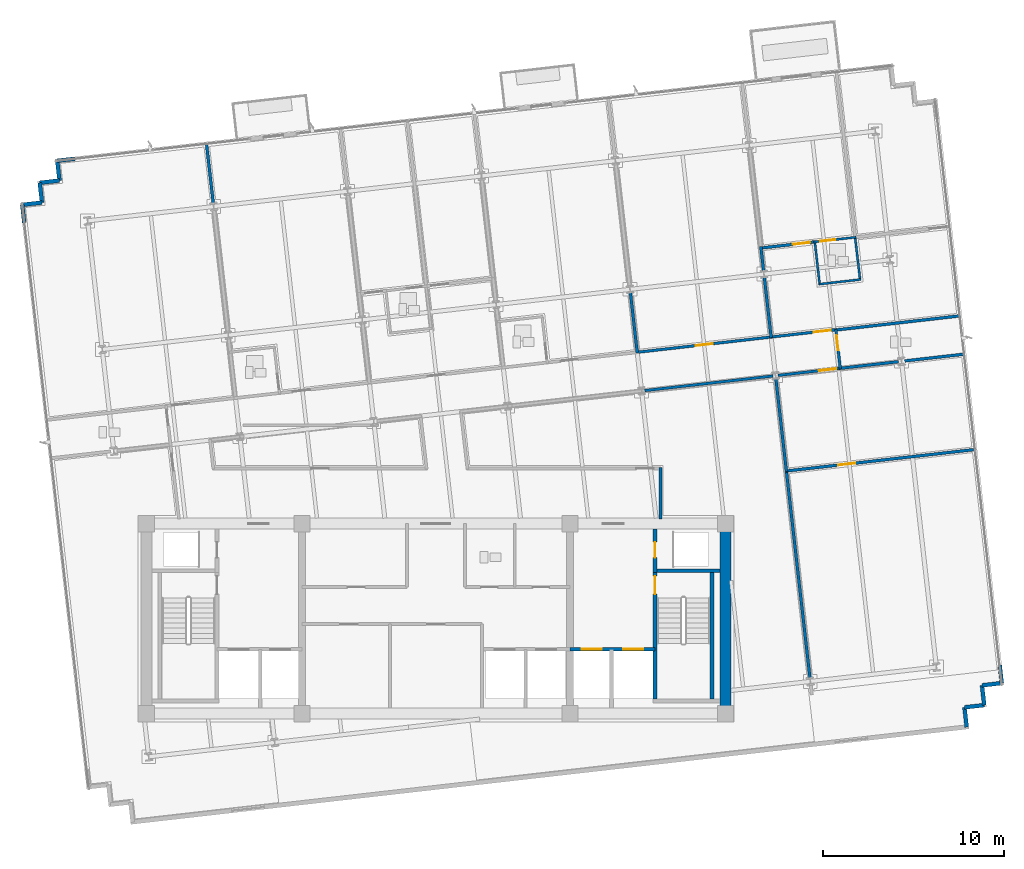
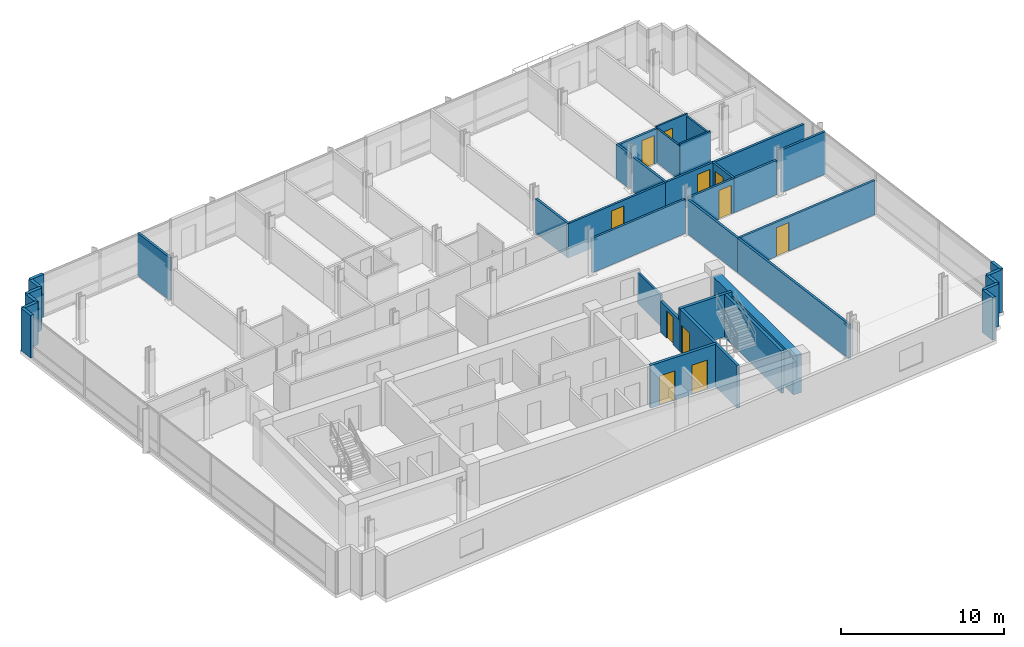
# One storey, part 11 of 16: 38 walls, 11 doors, 11 openings.
"""IFC4 building model written with IfcOpenShell, lengths in metres."""

import ifcopenshell
import ifcopenshell.guid

model = None  # the IFC model being written
_history = None  # IfcOwnerHistory: only IFC2X3 demands one
_inside = {}  # id of a spatial element -> (the spatial element, [elements in it])
_under = {}  # id of a project, library or spatial element -> (it, [spatial elements below it])
_declared = {}  # id of a project -> (the project, [libraries it declares])
_typed = {}  # id of a type object -> (the type object, [elements of that type])
_made_of = {}  # id of a material, layer set ... -> (it, [elements and type objects made of it])


def new_model(schema):
    """Start an empty IFC model of exactly this schema.

    Asked for "IFC4X3", IfcOpenShell would pick the latest addendum, in which some entities
    have other attributes; the version numbers below select the first issue.
    IFC2X3 requires an IfcOwnerHistory on every rooted entity: one is made here for all.
    """
    global model, _history
    if schema == "IFC4X3":
        model = ifcopenshell.file(schema_version=(4, 3, 0, 0))
    else:
        model = ifcopenshell.file(schema=schema)
    _inside.clear()
    _under.clear()
    _declared.clear()
    _typed.clear()
    _made_of.clear()
    _history = None
    if model.schema == "IFC2X3":
        org = make("IfcOrganization", Name="unknown")
        user = make(
            "IfcPersonAndOrganization",
            ThePerson=make("IfcPerson", FamilyName="unknown"),
            TheOrganization=org,
        )
        app = make(
            "IfcApplication",
            ApplicationDeveloper=org,
            Version="unknown",
            ApplicationFullName="unknown",
            ApplicationIdentifier="unknown",
        )
        _history = make(
            "IfcOwnerHistory",
            OwningUser=user,
            OwningApplication=app,
            ChangeAction="ADDED",
            CreationDate=0,
        )
    return model


def make(cls, **values):
    """One entity of the class cls with the attributes given. An attribute that is None is left unset."""
    return model.create_entity(
        cls, **{name: value for name, value in values.items() if value is not None}
    )


def rooted(cls, **values):
    """An entity with a GlobalId (a new one), such as an element, a storey or a relation."""
    return make(cls, GlobalId=ifcopenshell.guid.new(), OwnerHistory=_history, **values)


def si_unit(unit_type, name, prefix=None):
    """IfcSIUnit, for example si_unit("LENGTHUNIT", "METRE", prefix="MILLI")."""
    return make("IfcSIUnit", UnitType=unit_type, Prefix=prefix, Name=name)


def assignment(units):
    """IfcUnitAssignment: the units of a project."""
    return None if units is None else make("IfcUnitAssignment", Units=units)


def point(xyz):
    """IfcCartesianPoint."""
    return None if xyz is None else make("IfcCartesianPoint", Coordinates=xyz)


def direction(xyz):
    """IfcDirection."""
    return None if xyz is None else make("IfcDirection", DirectionRatios=xyz)


def frame(location, z_axis=None, x_axis=None):
    """IfcAxis2Placement3D, a coordinate frame: its origin and axes. An axis left out is left unset."""
    return make(
        "IfcAxis2Placement3D",
        Location=point(location),
        Axis=direction(z_axis),
        RefDirection=direction(x_axis),
    )


def frame_2d(location, x_axis=None):
    """IfcAxis2Placement2D, a coordinate frame in the plane: its origin and x axis."""
    return make(
        "IfcAxis2Placement2D", Location=point(location), RefDirection=direction(x_axis)
    )


def origin():
    """The frame at (0, 0, 0) with its axes left unset."""
    return frame((0.0, 0.0, 0.0))


def place(relative_to, where):
    """IfcLocalPlacement: puts the frame where relative to a parent placement (None: the world)."""
    return make(
        "IfcLocalPlacement", PlacementRelTo=relative_to, RelativePlacement=where
    )


def context(
    kind, dimensions, precision=None, world=None, true_north=None, identifier=None
):
    """IfcGeometricRepresentationContext, for example the 3D "Model" context."""
    return make(
        "IfcGeometricRepresentationContext",
        ContextIdentifier=identifier,
        ContextType=kind,
        CoordinateSpaceDimension=dimensions,
        Precision=precision,
        WorldCoordinateSystem=world,
        TrueNorth=true_north,
    )


def subcontext(parent, identifier, kind, view, scale=None):
    """IfcGeometricRepresentationSubContext, for example "Body" below "Model"."""
    return make(
        "IfcGeometricRepresentationSubContext",
        ContextIdentifier=identifier,
        ContextType=kind,
        ParentContext=parent,
        TargetScale=scale,
        TargetView=view,
    )


def project(units=None, contexts=None):
    """IfcProject with its units and contexts."""
    return rooted(
        "IfcProject",
        Name="project",
        RepresentationContexts=contexts,
        UnitsInContext=assignment(units),
    )


def spatial(cls, under=None, at=None, **own):
    """A site, building, storey or space (cls), placed at a placement, below another one or the project."""
    s = rooted(cls, ObjectPlacement=at, **own)
    if under is not None:
        _under.setdefault(under.id(), (under, []))[1].append(s)
    return s


def profile(cls, at=None, kind="AREA", **sizes):
    """A parametric profile (cls). Its sizes go by their IFC names, for example OverallWidth=200.0."""
    return make(cls, ProfileType=kind, Position=at, **sizes)


def rectangle(**sizes):
    """IfcRectangleProfileDef."""
    return profile("IfcRectangleProfileDef", **sizes)


def extrude(swept, where, along, depth):
    """IfcExtrudedAreaSolid: the profile swept, set in the frame where, extruded along a direction by depth."""
    return make(
        "IfcExtrudedAreaSolid",
        SweptArea=swept,
        Position=where,
        ExtrudedDirection=direction(along),
        Depth=depth,
    )


def shape(context_of_items, identifier, shape_type, items):
    """IfcShapeRepresentation: the items that make up one representation, for example the "Body"."""
    return make(
        "IfcShapeRepresentation",
        ContextOfItems=context_of_items,
        RepresentationIdentifier=identifier,
        RepresentationType=shape_type,
        Items=items,
    )


def material(Name=None, Category=None):
    """IfcMaterial."""
    return make("IfcMaterial", Name=Name, Category=Category)


def layer(
    of_material, thickness, ventilated=None, Name=None, Category=None, Priority=None
):
    """IfcMaterialLayer: one layer of a wall or slab, of a material (None: an air gap)."""
    return make(
        "IfcMaterialLayer",
        Material=of_material,
        LayerThickness=thickness,
        IsVentilated=ventilated,
        Name=Name,
        Category=Category,
        Priority=Priority,
    )


def layer_set(layers, Name=None):
    """IfcMaterialLayerSet."""
    return make("IfcMaterialLayerSet", MaterialLayers=layers, LayerSetName=Name)


def made_of(thing, what):
    """Note that an element or type object is made of a material, layer set ...; save() writes the relation."""
    if what is not None:
        _made_of.setdefault(what.id(), (what, []))[1].append(thing)
    return thing


def type_object(cls, material=None, **own):
    """A type object (cls), such as IfcWallType, which elements share."""
    return made_of(rooted(cls, **own), material)


def element(
    cls,
    number,
    at=None,
    inside=None,
    cuts=None,
    type_object=None,
    material=None,
    context=None,
    identifier="Body",
    shape_type=None,
    held_by="IfcProductDefinitionShape",
    body=None,
    shapes=None,
    **own,
):
    """One element of the class cls, such as IfcWall. Its Tag is "e" and its number.

    at: its placement. inside: the storey or other place that contains it. cuts: it is an
    opening in that element (IfcRelVoidsElement). A single representation is given by context,
    identifier, shape_type and body (its items); several are given by shapes. held_by: the class
    of the entity that holds the representations. save() writes the other relations.
    """
    e = rooted(cls, Tag="e%d" % number, ObjectPlacement=at, **own)
    if body is not None:
        shapes = [shape(context, identifier, shape_type, body)]
    if shapes is not None:
        e.Representation = make(held_by, Representations=shapes)
    if inside is not None:
        _inside.setdefault(inside.id(), (inside, []))[1].append(e)
    if cuts is not None:
        rooted(
            "IfcRelVoidsElement", RelatingBuildingElement=cuts, RelatedOpeningElement=e
        )
    if type_object is not None:
        _typed.setdefault(type_object.id(), (type_object, []))[1].append(e)
    return made_of(e, material)


def fill(opening, filler):
    """IfcRelFillsElement: the door or window that sits in an opening."""
    return rooted(
        "IfcRelFillsElement",
        RelatingOpeningElement=opening,
        RelatedBuildingElement=filler,
    )


def aggregate(whole, parts):
    """IfcRelAggregates: a whole, such as a stair, and the parts it consists of."""
    return rooted("IfcRelAggregates", RelatingObject=whole, RelatedObjects=parts)


def save(model, path):
    """Write the relations noted so far, then the file.

    IfcRelAggregates (storeys below a building ...), IfcRelContainedInSpatialStructure (elements
    in a storey), IfcRelDefinesByType, IfcRelAssociatesMaterial and IfcRelDeclares: one each for
    every whole, place, type object, material and project.
    """
    for whole, parts in _under.values():
        aggregate(whole, parts)
    for where, things in _inside.values():
        rooted(
            "IfcRelContainedInSpatialStructure",
            RelatedElements=things,
            RelatingStructure=where,
        )
    for kind, things in _typed.values():
        rooted("IfcRelDefinesByType", RelatedObjects=things, RelatingType=kind)
    for what, things in _made_of.values():
        rooted("IfcRelAssociatesMaterial", RelatedObjects=things, RelatingMaterial=what)
    for by, libraries in _declared.values():
        rooted("IfcRelDeclares", RelatingContext=by, RelatedDefinitions=libraries)
    model.write(path)


model = new_model("IFC4")

# Units and contexts
model_context = context("Model", 3, precision=1e-05, world=origin(), true_north=direction((0.0, 1.0)))
body_context = subcontext(model_context, "Body", "Model", "MODEL_VIEW")
ifc_project = project(units=[si_unit("LENGTHUNIT", "METRE"), si_unit("AREAUNIT", "SQUARE_METRE"), si_unit("VOLUMEUNIT", "CUBIC_METRE"), si_unit("PLANEANGLEUNIT", "RADIAN"), si_unit("MASSUNIT", "GRAM", prefix="KILO")], contexts=[model_context])

# Site, building, storey
site_placement = place(None, origin())
site = spatial("IfcSite", under=ifc_project, at=site_placement, CompositionType="ELEMENT")
building_placement = place(site_placement, origin())
building = spatial("IfcBuilding", under=site, at=building_placement, Name="Solmavex Isthmus Hotel", CompositionType="ELEMENT")
storey_placement = place(building_placement, frame((0.0, 0.0, 215.85009765625)))
storey = spatial("IfcBuildingStorey", under=building, at=storey_placement, Name="L58", CompositionType="ELEMENT", Elevation=215.85009765625)

# Walls
ifc_material_1 = material(Name="Precast Concrete C40/50", Category="concrete")
ifc_layer_1 = layer(ifc_material_1, 0.25)
ifc_layer_set_1 = layer_set([ifc_layer_1], Name="Precast Concrete C40/50")
wall_type_1 = type_object("IfcWallType", Name="EW-TWR-250", PredefinedType="STANDARD", material=ifc_layer_set_1)
wall_1_placement = place(storey_placement, frame((-22.74755859375, 14.128173828125, 0.0), z_axis=(0.0, 0.0, 1.0), x_axis=(-0.113191877531, 0.993573147212, 0.0)))
element("IfcWall", 1, at=wall_1_placement, inside=storey, type_object=wall_type_1, Name="Serrated Corner Facade Panel L58-07", PredefinedType="STANDARD", context=body_context, shape_type="SweptSolid", body=[
    extrude(rectangle(XDim=0.989990234375, YDim=0.219970703125, at=frame_2d((0.4951171875, 0.0))), origin(), (0.0, 0.0, 1.0), 3.18994140625),
])
wall_2_placement = place(storey_placement, frame((-22.859619140625, 15.11181640625, 0.0), z_axis=(0.0, 0.0, 1.0), x_axis=(0.99357409499, 0.113183557839, 0.0)))
element("IfcWall", 2, at=wall_2_placement, inside=storey, type_object=wall_type_1, Name="Serrated Corner Facade Panel L58-08", PredefinedType="STANDARD", context=body_context, shape_type="SweptSolid", body=[
    extrude(rectangle(XDim=1.10009765625, YDim=0.219970703125, at=frame_2d((0.550048828125, 0.0))), origin(), (0.0, 0.0, 1.0), 3.18994140625),
])
wall_3_placement = place(storey_placement, frame((-21.7666015625, 15.236328125, 0.0), z_axis=(0.0, 0.0, 1.0), x_axis=(-0.11320852056, 0.99357125103, 0.0)))
element("IfcWall", 3, at=wall_3_placement, inside=storey, type_object=wall_type_1, Name="Serrated Corner Facade Panel L58-09", PredefinedType="STANDARD", context=body_context, shape_type="SweptSolid", body=[
    extrude(rectangle(XDim=1.099853515625, YDim=0.219970703125, at=frame_2d((0.5498046875, 0.0))), origin(), (0.0, 0.0, 1.0), 3.18994140625),
])
for number, where, z_axis, x_axis, name in (
    (4, (-21.89111328125, 16.3291015625, 0.0), (0.0, 0.0, 1.0), (0.99357409499, 0.113183557839, 0.0), "Serrated Corner Facade Panel L58-10"),
    (5, (-20.798095703125, 16.45361328125, 0.0), (0.0, 0.0, 1.0), (-0.113402635104, 0.993549114212, 0.0), "Serrated Corner Facade Panel L58-11"),
):
    element("IfcWall", number, at=place(storey_placement, frame(where, z_axis=z_axis, x_axis=x_axis)), inside=storey, type_object=wall_type_1, Name=name, PredefinedType="STANDARD", context=body_context, shape_type="SweptSolid", body=[
        extrude(rectangle(XDim=1.10009765625, YDim=0.219970703125, at=frame_2d((0.550048828125, 0.0))), origin(), (0.0, 0.0, 1.0), 3.18994140625),
    ])
for number, where, z_axis, x_axis, name in (
    (6, (-20.9228515625, 17.546630859375, 0.0), (0.0, 0.0, 1.0), (0.993573147212, 0.113191877531, 0.0), "Serrated Corner Facade Panel L58-12"),
    (7, (31.1474609375, -10.328125, 0.0), (0.0, 0.0, 1.0), (0.113191877531, -0.993573147212, 0.0), "Serrated Corner Facade Panel L58-21"),
):
    element("IfcWall", number, at=place(storey_placement, frame(where, z_axis=z_axis, x_axis=x_axis)), inside=storey, type_object=wall_type_1, Name=name, PredefinedType="STANDARD", context=body_context, shape_type="SweptSolid", body=[
        extrude(rectangle(XDim=0.989990234375, YDim=0.219970703125, at=frame_2d((0.4951171875, 0.0))), origin(), (0.0, 0.0, 1.0), 3.18994140625),
    ])
wall_4_placement = place(storey_placement, frame((31.259521484375, -11.311767578125, 0.0), z_axis=(0.0, 0.0, 1.0), x_axis=(-0.99357409499, -0.113183557839, 0.0)))
element("IfcWall", 8, at=wall_4_placement, inside=storey, type_object=wall_type_1, Name="Serrated Corner Facade Panel L58-22", PredefinedType="STANDARD", context=body_context, shape_type="SweptSolid", body=[
    extrude(rectangle(XDim=1.10009765625, YDim=0.219970703125, at=frame_2d((0.550048828125, 0.0))), origin(), (0.0, 0.0, 1.0), 3.18994140625),
])
wall_5_placement = place(storey_placement, frame((30.16650390625, -11.436279296875, 0.0), z_axis=(0.0, 0.0, 1.0), x_axis=(0.113427644885, -0.993546259303, 0.0)))
element("IfcWall", 9, at=wall_5_placement, inside=storey, type_object=wall_type_1, Name="Serrated Corner Facade Panel L58-23", PredefinedType="STANDARD", context=body_context, shape_type="SweptSolid", body=[
    extrude(rectangle(XDim=1.099853515625, YDim=0.219970703125, at=frame_2d((0.5498046875, 0.0))), origin(), (0.0, 0.0, 1.0), 3.18994140625),
])
for number, where, z_axis, x_axis, name in (
    (10, (30.291259765625, -12.529052734375, 0.0), (0.0, 0.0, 1.0), (-0.99357409499, -0.113183557839, 0.0), "Serrated Corner Facade Panel L58-24"),
    (11, (29.1982421875, -12.653564453125, 0.0), (0.0, 0.0, 1.0), (0.113183557839, -0.99357409499, 0.0), "Serrated Corner Facade Panel L58-25"),
):
    element("IfcWall", number, at=place(storey_placement, frame(where, z_axis=z_axis, x_axis=x_axis)), inside=storey, type_object=wall_type_1, Name=name, PredefinedType="STANDARD", context=body_context, shape_type="SweptSolid", body=[
        extrude(rectangle(XDim=1.10009765625, YDim=0.219970703125, at=frame_2d((0.550048828125, 0.0))), origin(), (0.0, 0.0, 1.0), 3.18994140625),
    ])
ifc_material_2 = material(Name="Gypsum plasterboard lining", Category="gypsum")
ifc_layer_2 = layer(ifc_material_2, 0.159912109375)
ifc_layer_set_2 = layer_set([ifc_layer_2], Name="Gypsum plasterboard lining")
wall_type_2 = type_object("IfcWallType", Name="IW-COMP-160", PredefinedType="PARTITIONING", material=ifc_layer_set_2)
wall_6_placement = place(storey_placement, frame((-12.681396484375, 18.515869140625, 0.0), z_axis=(0.0, 0.0, 1.0), x_axis=(0.113171804991, -0.993575433752, 0.0)))
element("IfcWall", 12, at=wall_6_placement, inside=storey, type_object=wall_type_2, Name="Interior Partition Wall W-L58-P025", PredefinedType="PARTITIONING", context=body_context, shape_type="SweptSolid", body=[
    extrude(rectangle(XDim=3.34375, YDim=0.159912109375, at=frame_2d((1.671875, 0.0))), origin(), (0.0, 0.0, 1.0), 3.18994140625),
])
wall_7_placement = place(storey_placement, frame((10.740966796875, 10.265869140625, 0.0), z_axis=(0.0, 0.0, 1.0), x_axis=(0.113220917918, -0.993569838384, 0.0)))
element("IfcWall", 13, at=wall_7_placement, inside=storey, type_object=wall_type_2, Name="Interior Partition Wall W-L58-P050", PredefinedType="PARTITIONING", context=body_context, shape_type="SweptSolid", body=[
    extrude(rectangle(XDim=3.36181640625, YDim=0.159912109375, at=frame_2d((1.680908203125, 0.0))), origin(), (0.0, 0.0, 1.0), 2.572265625),
])
wall_8_placement = place(storey_placement, frame((17.94580078125, 12.80615234375, 0.0), z_axis=(0.0, 0.0, 1.0), x_axis=(0.113099607597, -0.993583654637, 0.0)))
element("IfcWall", 14, at=wall_8_placement, inside=storey, type_object=wall_type_2, Name="Interior Partition Wall W-L58-P051", PredefinedType="PARTITIONING", context=body_context, shape_type="SweptSolid", body=[
    extrude(rectangle(XDim=1.355712890625, YDim=0.159912109375, at=frame_2d((0.677734375, 0.0))), origin(), (0.0, 0.0, 1.0), 2.572265625),
])
wall_9_placement = place(storey_placement, frame((18.13916015625, 11.108642578125, 0.0), z_axis=(0.0, 0.0, 1.0), x_axis=(0.113229088195, -0.993568907317, 0.0)))
element("IfcWall", 15, at=wall_9_placement, inside=storey, type_object=wall_type_2, Name="Interior Partition Wall W-L58-P052", PredefinedType="PARTITIONING", context=body_context, shape_type="SweptSolid", body=[
    extrude(rectangle(XDim=3.361572265625, YDim=0.159912109375, at=frame_2d((1.6806640625, 0.0))), origin(), (0.0, 0.0, 1.0), 2.572265625),
])

# Wall, opening, door
wall_10_placement = place(storey_placement, frame((17.915283203125, 12.72021484375, 0.0), z_axis=(0.0, 0.0, 1.0), x_axis=(0.993574843088, 0.11317699052, 0.0)))
wall_10 = element("IfcWall", 16, at=wall_10_placement, inside=storey, type_object=wall_type_2, Name="Interior Partition Wall W-L58-P055", PredefinedType="PARTITIONING", context=body_context, shape_type="SweptSolid", body=[
    extrude(rectangle(XDim=3.073974609375, YDim=0.159912109375, at=frame_2d((1.537109375, 0.0))), origin(), (0.0, 0.0, 1.0), 2.572265625),
])
opening_1_placement = place(wall_10_placement, frame((1.81640625, 0.0, 0.0)))
opening_1 = element("IfcOpeningElement", 17, at=opening_1_placement, cuts=wall_10, Name="Opening ID-C095", PredefinedType="OPENING", context=body_context, shape_type="SweptSolid", body=[
    extrude(rectangle(XDim=0.949951171875, YDim=2.14990234375, at=frame_2d((0.47509765625, 1.074951171875))), frame((0.0, 0.08984375, 0.0), z_axis=(0.0, -1.0, 0.0), x_axis=(1.0, 0.0, 0.0)), (0.0, 0.0, 1.0), 0.179931640625),
])
ifc_material_3 = material(Name="Hardwood timber", Category="wood")
door_type_1 = type_object("IfcDoorType", Name="IDR-FD60-0950", OperationType="NOTDEFINED", PredefinedType="DOOR", material=ifc_material_3)
door_1_placement = place(opening_1_placement, origin())
door_1 = element("IfcDoor", 18, at=door_1_placement, inside=storey, type_object=door_type_1, Name="Ambassador Panorama Suite Master Bedroom Door L58-12", OperationType="SINGLE_SWING_RIGHT", OverallHeight=2.14990234375, OverallWidth=0.949951171875, PredefinedType="DOOR", context=body_context, shape_type="SweptSolid", body=[
    extrude(rectangle(XDim=0.949951171875, YDim=2.14990234375, at=frame_2d((0.47509765625, 1.074951171875))), frame((0.0, 0.02490234375, 0.0), z_axis=(0.0, -1.0, 0.0), x_axis=(1.0, 0.0, 0.0)), (0.0, 0.0, 1.0), 0.050048828125),
])
fill(opening_1, door_1)

# Walls
wall_11_placement = place(storey_placement, frame((28.977783203125, 8.98046875, 0.0), z_axis=(0.0, 0.0, 1.0), x_axis=(-0.993571800428, -0.113203698681, 0.0)))
element("IfcWall", 19, at=wall_11_placement, inside=storey, type_object=wall_type_2, Name="Interior Partition Wall W-L58-P060", PredefinedType="PARTITIONING", context=body_context, shape_type="SweptSolid", body=[
    extrude(rectangle(XDim=6.968017578125, YDim=0.159912109375, at=frame_2d((3.48388671875, 0.0))), origin(), (0.0, 0.0, 1.0), 2.557373046875),
])
wall_12_placement = place(storey_placement, frame((25.546142578125, 6.44580078125, 0.0), z_axis=(0.0, 0.0, 1.0), x_axis=(-0.993568592225, -0.113231853041, 0.0)))
element("IfcWall", 20, at=wall_12_placement, inside=storey, type_object=wall_type_2, Name="Interior Partition Wall W-L58-P065", PredefinedType="PARTITIONING", context=body_context, shape_type="SweptSolid", body=[
    extrude(rectangle(XDim=3.281494140625, YDim=0.159912109375, at=frame_2d((1.640625, 0.0))), origin(), (0.0, 0.0, 1.0), 2.572265625),
])
wall_13_placement = place(storey_placement, frame((29.21875, 6.864013671875, 0.0), z_axis=(0.0, 0.0, 1.0), x_axis=(-0.993574498496, -0.113180015629, 0.0)))
element("IfcWall", 21, at=wall_13_placement, inside=storey, type_object=wall_type_2, Name="Interior Partition Wall W-L58-P066", PredefinedType="PARTITIONING", context=body_context, shape_type="SweptSolid", body=[
    extrude(rectangle(XDim=3.343505859375, YDim=0.159912109375, at=frame_2d((1.671875, 0.0))), origin(), (0.0, 0.0, 1.0), 3.18994140625),
])

# Wall, opening, door
wall_14_placement = place(storey_placement, frame((29.69970703125, 1.584716796875, 0.0), z_axis=(0.0, 0.0, 1.0), x_axis=(-0.993570652061, -0.113213777263, 0.0)))
wall_14 = element("IfcWall", 22, at=wall_14_placement, inside=storey, type_object=wall_type_2, Name="Interior Partition Wall W-L58-P067", PredefinedType="PARTITIONING", context=body_context, shape_type="SweptSolid", body=[
    extrude(rectangle(XDim=10.447998046875, YDim=0.159912109375, at=frame_2d((5.22412109375, 0.0))), origin(), (0.0, 0.0, 1.0), 2.557373046875),
])
opening_2_placement = place(wall_14_placement, frame((6.571044921875, 0.0, 0.0)))
opening_2 = element("IfcOpeningElement", 23, at=opening_2_placement, cuts=wall_14, Name="Opening ID-C095", PredefinedType="OPENING", context=body_context, shape_type="SweptSolid", body=[
    extrude(rectangle(XDim=0.949951171875, YDim=2.14990234375, at=frame_2d((0.47509765625, 1.074951171875))), frame((0.0, 0.08984375, 0.0), z_axis=(0.0, -1.0, 0.0), x_axis=(1.0, 0.0, 0.0)), (0.0, 0.0, 1.0), 0.179931640625),
])
door_2_placement = place(opening_2_placement, origin())
door_2 = element("IfcDoor", 24, at=door_2_placement, inside=storey, type_object=door_type_1, Name="Corporate Briefing Office Door L58-20", OperationType="SINGLE_SWING_RIGHT", OverallHeight=2.14990234375, OverallWidth=0.949951171875, PredefinedType="DOOR", context=body_context, shape_type="SweptSolid", body=[
    extrude(rectangle(XDim=0.949951171875, YDim=2.14990234375, at=frame_2d((0.47509765625, 1.074951171875))), frame((0.0, 0.02490234375, 0.0), z_axis=(0.0, -1.0, 0.0), x_axis=(1.0, 0.0, 0.0)), (0.0, 0.0, 1.0), 0.050048828125),
])
fill(opening_2, door_2)

# Walls
wall_15_placement = place(storey_placement, frame((19.363037109375, 0.36669921875, 0.0), z_axis=(0.0, 0.0, 1.0), x_axis=(-0.113191877531, 0.993573147212, 0.0)))
element("IfcWall", 25, at=wall_15_placement, inside=storey, type_object=wall_type_2, Name="Interior Partition Wall W-L58-P068", PredefinedType="PARTITIONING", context=body_context, shape_type="SweptSolid", body=[
    extrude(rectangle(XDim=5.16357421875, YDim=0.159912109375, at=frame_2d((2.581787109375, 0.0))), origin(), (0.0, 0.0, 1.0), 2.572265625),
])
wall_16_placement = place(storey_placement, frame((20.6630859375, -11.043212890625, 0.0), z_axis=(0.0, 0.0, 1.0), x_axis=(-0.113207179501, 0.99357140383, 0.0)))
element("IfcWall", 26, at=wall_16_placement, inside=storey, type_object=wall_type_2, Name="Interior Partition Wall W-L58-P069", PredefinedType="PARTITIONING", context=body_context, shape_type="SweptSolid", body=[
    extrude(rectangle(XDim=11.5634765625, YDim=0.159912109375, at=frame_2d((5.78173828125, 0.0))), origin(), (0.0, 0.0, 1.0), 2.572265625),
])

# Wall, opening, door
ifc_layer_3 = layer(ifc_material_2, 0.14990234375)
ifc_layer_set_3 = layer_set([ifc_layer_3], Name="Gypsum plasterboard lining")
wall_type_3 = type_object("IfcWallType", Name="IW-CORR-150", PredefinedType="PARTITIONING", material=ifc_layer_set_3)
wall_17_placement = place(storey_placement, frame((11.03564453125, 6.956298828125, 0.0), z_axis=(0.0, 0.0, 1.0), x_axis=(0.993570360949, 0.113216332056, 0.0)))
wall_17 = element("IfcWall", 27, at=wall_17_placement, inside=storey, type_object=wall_type_3, Name="Interior Partition Wall W-L58-P007", PredefinedType="PARTITIONING", context=body_context, shape_type="SweptSolid", body=[
    extrude(rectangle(XDim=7.60986328125, YDim=0.14990234375, at=frame_2d((3.804931640625, 0.0))), origin(), (0.0, 0.0, 1.0), 2.572265625),
])
opening_3_placement = place(wall_17_placement, frame((3.330078125, 0.0, 0.0)))
opening_3 = element("IfcOpeningElement", 28, at=opening_3_placement, cuts=wall_17, Name="Opening ID-C095", PredefinedType="OPENING", context=body_context, shape_type="SweptSolid", body=[
    extrude(rectangle(XDim=0.949951171875, YDim=2.14990234375, at=frame_2d((0.47509765625, 1.074951171875))), frame((0.0, 0.0849609375, 0.0), z_axis=(0.0, -1.0, 0.0), x_axis=(1.0, 0.0, 0.0)), (0.0, 0.0, 1.0), 0.169921875),
])
door_3_placement = place(opening_3_placement, origin())
door_3 = element("IfcDoor", 29, at=door_3_placement, inside=storey, type_object=door_type_1, Name="Botanical Club Lounge Door L58-10", OperationType="SINGLE_SWING_RIGHT", OverallHeight=2.14990234375, OverallWidth=0.949951171875, PredefinedType="DOOR", context=body_context, shape_type="SweptSolid", body=[
    extrude(rectangle(XDim=0.949951171875, YDim=2.14990234375, at=frame_2d((0.47509765625, 1.074951171875))), frame((0.0, 0.02490234375, 0.0), z_axis=(0.0, -1.0, 0.0), x_axis=(1.0, 0.0, 0.0)), (0.0, 0.0, 1.0), 0.050048828125),
])
fill(opening_3, door_3)

wall_18_placement = place(storey_placement, frame((18.43359375, 7.79931640625, 0.0), z_axis=(0.0, 0.0, 1.0), x_axis=(0.993578468541, 0.11314515832, 0.0)))
wall_18 = element("IfcWall", 30, at=wall_18_placement, inside=storey, type_object=wall_type_3, Name="Interior Partition Wall W-L58-P008", PredefinedType="PARTITIONING", context=body_context, shape_type="SweptSolid", body=[
    extrude(rectangle(XDim=3.72216796875, YDim=0.14990234375, at=frame_2d((1.861083984375, 0.0))), origin(), (0.0, 0.0, 1.0), 2.572265625),
])
opening_4_placement = place(wall_18_placement, frame((2.456787109375, 0.0, 0.0)))
opening_4 = element("IfcOpeningElement", 31, at=opening_4_placement, cuts=wall_18, Name="Opening ID-C095", PredefinedType="OPENING", context=body_context, shape_type="SweptSolid", body=[
    extrude(rectangle(XDim=0.949951171875, YDim=2.14990234375, at=frame_2d((0.47509765625, 1.074951171875))), frame((0.0, 0.0849609375, 0.0), z_axis=(0.0, -1.0, 0.0), x_axis=(1.0, 0.0, 0.0)), (0.0, 0.0, 1.0), 0.169921875),
])
door_4_placement = place(opening_4_placement, origin())
door_4 = element("IfcDoor", 32, at=door_4_placement, inside=storey, type_object=door_type_1, Name="Ambassador Panorama Suite Living Salon Door L58-11", OperationType="SINGLE_SWING_LEFT", OverallHeight=2.14990234375, OverallWidth=0.949951171875, PredefinedType="DOOR", context=body_context, shape_type="SweptSolid", body=[
    extrude(rectangle(XDim=0.949951171875, YDim=2.14990234375, at=frame_2d((0.47509765625, 1.074951171875))), frame((0.0, 0.02490234375, 0.0), z_axis=(0.0, -1.0, 0.0), x_axis=(1.0, 0.0, 0.0)), (0.0, 0.0, 1.0), 0.050048828125),
])
fill(opening_4, door_4)

wall_19_placement = place(storey_placement, frame((22.08984375, 8.23583984375, 0.0), z_axis=(0.0, 0.0, 1.0), x_axis=(0.113122854389, -0.993581008179, 0.0)))
wall_19 = element("IfcWall", 33, at=wall_19_placement, inside=storey, type_object=wall_type_3, Name="Interior Partition Wall W-L58-P010", PredefinedType="PARTITIONING", context=body_context, shape_type="SweptSolid", body=[
    extrude(rectangle(XDim=2.2099609375, YDim=0.14990234375, at=frame_2d((1.10498046875, 0.0))), origin(), (0.0, 0.0, 1.0), 2.572265625),
])
opening_5_placement = place(wall_19_placement, frame((0.322265625, 0.0, 0.0)))
opening_5 = element("IfcOpeningElement", 34, at=opening_5_placement, cuts=wall_19, Name="Opening ID-R085", PredefinedType="OPENING", context=body_context, shape_type="SweptSolid", body=[
    extrude(rectangle(XDim=0.85009765625, YDim=2.050048828125, at=frame_2d((0.425048828125, 1.02490234375))), frame((0.0, 0.0849609375, 0.0), z_axis=(0.0, -1.0, 0.0), x_axis=(1.0, 0.0, 0.0)), (0.0, 0.0, 1.0), 0.169921875),
])
ifc_material_4 = material(Name="Steel ASTM A500 Grade C", Category="steel")
door_type_2 = type_object("IfcDoorType", Name="IDR-FD60-0850", OperationType="NOTDEFINED", PredefinedType="DOOR", material=ifc_material_4)
door_5_placement = place(opening_5_placement, frame((0.85009765625, 0.0, 0.0), z_axis=(0.0, 0.0, 1.0), x_axis=(-1.0, 0.0, 0.0)))
door_5 = element("IfcDoor", 35, at=door_5_placement, inside=storey, type_object=door_type_2, Name="Public Restroom WC Door L58-16", OperationType="SINGLE_SWING_RIGHT", OverallHeight=2.050048828125, OverallWidth=0.85009765625, PredefinedType="DOOR", context=body_context, shape_type="SweptSolid", body=[
    extrude(rectangle(XDim=0.85009765625, YDim=2.050048828125, at=frame_2d((0.425048828125, 1.02490234375))), frame((0.0, 0.02490234375, 0.0), z_axis=(0.0, -1.0, 0.0), x_axis=(1.0, 0.0, 0.0)), (0.0, 0.0, 1.0), 0.050048828125),
])
fill(opening_5, door_5)

wall_20_placement = place(storey_placement, frame((22.375244140625, 6.08447265625, 0.0), z_axis=(0.0, 0.0, 1.0), x_axis=(-0.993568982909, -0.113228424882, 0.0)))
wall_20 = element("IfcWall", 36, at=wall_20_placement, inside=storey, type_object=wall_type_3, Name="Interior Partition Wall W-L58-P017", PredefinedType="PARTITIONING", context=body_context, shape_type="SweptSolid", body=[
    extrude(rectangle(XDim=3.505859375, YDim=0.14990234375, at=frame_2d((1.7529296875, 0.0))), origin(), (0.0, 0.0, 1.0), 2.572265625),
])
opening_6_placement = place(wall_20_placement, frame((0.270751953125, 0.0, 0.0)))
opening_6 = element("IfcOpeningElement", 37, at=opening_6_placement, cuts=wall_20, Name="Opening ID-C095", PredefinedType="OPENING", context=body_context, shape_type="SweptSolid", body=[
    extrude(rectangle(XDim=0.949951171875, YDim=2.14990234375, at=frame_2d((0.47509765625, 1.074951171875))), frame((0.0, 0.0849609375, 0.0), z_axis=(0.0, -1.0, 0.0), x_axis=(1.0, 0.0, 0.0)), (0.0, 0.0, 1.0), 0.169921875),
])
door_6_placement = place(opening_6_placement, origin())
door_6 = element("IfcDoor", 38, at=door_6_placement, inside=storey, type_object=door_type_1, Name="Botanical Library Door L58-18", OperationType="SINGLE_SWING_RIGHT", OverallHeight=2.14990234375, OverallWidth=0.949951171875, PredefinedType="DOOR", context=body_context, shape_type="SweptSolid", body=[
    extrude(rectangle(XDim=0.949951171875, YDim=2.14990234375, at=frame_2d((0.47509765625, 1.074951171875))), frame((0.0, 0.02490234375, 0.0), z_axis=(0.0, -1.0, 0.0), x_axis=(1.0, 0.0, 0.0)), (0.0, 0.0, 1.0), 0.050048828125),
])
fill(opening_6, door_6)

# Walls
wall_21_placement = place(storey_placement, frame((12.39990234375, 0.590087890625, 0.0), z_axis=(0.0, 0.0, 1.0), x_axis=(0.0, -1.0, 0.0)))
element("IfcWall", 39, at=wall_21_placement, inside=storey, type_object=wall_type_3, Name="Interior Partition Wall W-L58-P022", PredefinedType="PARTITIONING", context=body_context, shape_type="SweptSolid", body=[
    extrude(rectangle(XDim=2.830078125, YDim=0.14990234375, at=frame_2d((1.4150390625, 0.0))), origin(), (0.0, 0.0, 1.0), 2.324951171875),
])
wall_22_placement = place(storey_placement, frame((18.625, 5.6572265625, 0.0), z_axis=(0.0, 0.0, 1.0), x_axis=(-0.993569785772, -0.11322137961, 0.0)))
element("IfcWall", 40, at=wall_22_placement, inside=storey, type_object=wall_type_3, Name="Interior Partition Wall W-L58-P024", PredefinedType="PARTITIONING", context=body_context, shape_type="SweptSolid", body=[
    extrude(rectangle(XDim=7.13525390625, YDim=0.14990234375, at=frame_2d((3.567626953125, 0.0))), origin(), (0.0, 0.0, 1.0), 2.572265625),
])
ifc_layer_4 = layer(ifc_material_2, 0.1201171875)
ifc_layer_set_4 = layer_set([ifc_layer_4], Name="Gypsum plasterboard lining")
wall_type_4 = type_object("IfcWallType", Name="IW-PART-120", PredefinedType="PARTITIONING", material=ifc_layer_set_4)
wall_23_placement = place(storey_placement, frame((20.92529296875, 13.103271484375, 0.0), z_axis=(0.0, 0.0, 1.0), x_axis=(0.113232053563, -0.993568569373, 0.0)))
element("IfcWall", 41, at=wall_23_placement, inside=storey, type_object=wall_type_4, Name="Interior Partition Wall W-L58-P057", PredefinedType="PARTITIONING", context=body_context, shape_type="SweptSolid", body=[
    extrude(rectangle(XDim=2.429931640625, YDim=0.1201171875, at=frame_2d((1.21484375, 0.0))), origin(), (0.0, 0.0, 1.0), 2.572265625),
])
wall_24_placement = place(storey_placement, frame((21.156005859375, 10.72412109375, 0.0), z_axis=(0.0, 0.0, 1.0), x_axis=(0.993565388804, 0.113259958378, 0.0)))
element("IfcWall", 42, at=wall_24_placement, inside=storey, type_object=wall_type_4, Name="Interior Partition Wall W-L58-P058", PredefinedType="PARTITIONING", context=body_context, shape_type="SweptSolid", body=[
    extrude(rectangle(XDim=2.330078125, YDim=0.1201171875, at=frame_2d((1.1650390625, 0.0))), origin(), (0.0, 0.0, 1.0), 2.718017578125),
])
wall_25_placement = place(storey_placement, frame((23.43603515625, 10.943603515625, 0.0), z_axis=(0.0, 0.0, 1.0), x_axis=(-0.117441605913, 0.993079789947, 0.0)))
element("IfcWall", 43, at=wall_25_placement, inside=storey, type_object=wall_type_4, Name="Interior Partition Wall W-L58-P059", PredefinedType="PARTITIONING", context=body_context, shape_type="SweptSolid", body=[
    extrude(rectangle(XDim=2.43017578125, YDim=0.1201171875, at=frame_2d((1.215087890625, 0.0))), origin(), (0.0, 0.0, 1.0), 2.572265625),
])

# Wall, opening, door
wall_26_placement = place(storey_placement, frame((23.205078125, 13.32275390625, 0.0), z_axis=(0.0, 0.0, 1.0), x_axis=(-0.99358135033, -0.113119849167, 0.0)))
wall_26 = element("IfcWall", 44, at=wall_26_placement, inside=storey, type_object=wall_type_4, Name="Interior Partition Wall W-L58-P062", PredefinedType="PARTITIONING", context=body_context, shape_type="SweptSolid", body=[
    extrude(rectangle(XDim=2.371826171875, YDim=0.1201171875, at=frame_2d((1.18603515625, 0.0))), origin(), (0.0, 0.0, 1.0), 2.718017578125),
])
opening_7_placement = place(wall_26_placement, frame((1.14599609375, 0.0, 0.0)))
opening_7 = element("IfcOpeningElement", 45, at=opening_7_placement, cuts=wall_26, Name="Opening ID-U085", PredefinedType="OPENING", context=body_context, shape_type="SweptSolid", body=[
    extrude(rectangle(XDim=0.85009765625, YDim=2.10009765625, at=frame_2d((0.425048828125, 1.050048828125))), frame((0.0, 0.070068359375, 0.0), z_axis=(0.0, -1.0, 0.0), x_axis=(1.0, 0.0, 0.0)), (0.0, 0.0, 1.0), 0.14013671875),
])
door_type_3 = type_object("IfcDoorType", Name="IDR-UNR-0850", OperationType="NOTDEFINED", PredefinedType="DOOR", material=ifc_material_3)
door_7_placement = place(opening_7_placement, frame((0.85009765625, 0.0, 0.0), z_axis=(0.0, 0.0, 1.0), x_axis=(-1.0, 0.0, 0.0)))
door_7 = element("IfcDoor", 46, at=door_7_placement, inside=storey, type_object=door_type_3, Name="En-suite Bathroom Door L58-14", OperationType="SINGLE_SWING_RIGHT", OverallHeight=2.10009765625, OverallWidth=0.85009765625, PredefinedType="DOOR", context=body_context, shape_type="SweptSolid", body=[
    extrude(rectangle(XDim=0.85009765625, YDim=2.10009765625, at=frame_2d((0.425048828125, 1.050048828125))), frame((0.0, 0.02490234375, 0.0), z_axis=(0.0, -1.0, 0.0), x_axis=(1.0, 0.0, 0.0)), (0.0, 0.0, 1.0), 0.050048828125),
])
fill(opening_7, door_7)

ifc_material_5 = material(Name="Concrete C40/50", Category="concrete")
ifc_layer_5 = layer(ifc_material_5, 0.199951171875)
ifc_layer_set_5 = layer_set([ifc_layer_5], Name="Concrete C40/50")
wall_type_5 = type_object("IfcWallType", Name="IW-SHAFT-200", PredefinedType="PARTITIONING", material=ifc_layer_set_5)
wall_27_placement = place(storey_placement, frame((12.10009765625, -5.199951171875, 0.0), z_axis=(0.0, 0.0, 1.0), x_axis=(0.0, 1.0, 0.0)))
wall_27 = element("IfcWall", 47, at=wall_27_placement, inside=storey, type_object=wall_type_5, Name="Interior Partition Wall W-L58-RSE-W", PredefinedType="PARTITIONING", context=body_context, shape_type="SweptSolid", body=[
    extrude(rectangle(XDim=2.39990234375, YDim=0.199951171875, at=frame_2d((1.199951171875, 0.0))), origin(), (0.0, 0.0, 1.0), 2.324951171875),
])
opening_8_placement = place(wall_27_placement, frame((0.824951171875, 0.0, 0.0)))
opening_8 = element("IfcOpeningElement", 48, at=opening_8_placement, cuts=wall_27, Name="Opening ID-R085", PredefinedType="OPENING", context=body_context, shape_type="SweptSolid", body=[
    extrude(rectangle(XDim=0.85009765625, YDim=2.050048828125, at=frame_2d((0.425048828125, 1.02490234375))), frame((0.0, 0.10986328125, 0.0), z_axis=(0.0, -1.0, 0.0), x_axis=(1.0, 0.0, 0.0)), (0.0, 0.0, 1.0), 0.219970703125),
])
door_8_placement = place(opening_8_placement, frame((0.85009765625, 0.0, 0.0), z_axis=(0.0, 0.0, 1.0), x_axis=(-1.0, 0.0, 0.0)))
door_8 = element("IfcDoor", 49, at=door_8_placement, inside=storey, type_object=door_type_2, Name="Mechanical Riser Door L58", OperationType="SINGLE_SWING_LEFT", OverallHeight=2.050048828125, OverallWidth=0.85009765625, PredefinedType="DOOR", context=body_context, shape_type="SweptSolid", body=[
    extrude(rectangle(XDim=0.85009765625, YDim=2.050048828125, at=frame_2d((0.425048828125, 1.02490234375))), frame((0.0, 0.02490234375, 0.0), z_axis=(0.0, -1.0, 0.0), x_axis=(1.0, 0.0, 0.0)), (0.0, 0.0, 1.0), 0.050048828125),
])
fill(opening_8, door_8)

# Wall, openings, doors
wall_28_placement = place(storey_placement, frame((7.39990234375, -9.449951171875, 0.0), z_axis=(0.0, 0.0, 1.0), x_axis=(1.0, 0.0, 0.0)))
wall_28 = element("IfcWall", 50, at=wall_28_placement, inside=storey, type_object=wall_type_5, Name="Interior Partition Wall W-L58-FFLE-S", PredefinedType="PARTITIONING", context=body_context, shape_type="SweptSolid", body=[
    extrude(rectangle(XDim=4.7001953125, YDim=0.199951171875, at=frame_2d((2.35009765625, 0.0))), origin(), (0.0, 0.0, 1.0), 3.18994140625),
])
opening_9_placement = place(wall_28_placement, frame((2.949951171875, 0.0, 0.0)))
opening_9 = element("IfcOpeningElement", 51, at=opening_9_placement, cuts=wall_28, Name="Opening LD-FF", PredefinedType="OPENING", context=body_context, shape_type="SweptSolid", body=[
    extrude(rectangle(XDim=1.10009765625, YDim=2.199951171875, at=frame_2d((0.550048828125, 1.10009765625))), frame((0.0, 0.10986328125, 0.0), z_axis=(0.0, -1.0, 0.0), x_axis=(1.0, 0.0, 0.0)), (0.0, 0.0, 1.0), 0.219970703125),
])
opening_10_placement = place(wall_28_placement, frame((0.64990234375, 0.0, 0.0)))
opening_10 = element("IfcOpeningElement", 52, at=opening_10_placement, cuts=wall_28, Name="Opening LD-SV", PredefinedType="OPENING", context=body_context, shape_type="SweptSolid", body=[
    extrude(rectangle(XDim=1.10009765625, YDim=2.199951171875, at=frame_2d((0.550048828125, 1.10009765625))), frame((0.0, 0.10986328125, 0.0), z_axis=(0.0, -1.0, 0.0), x_axis=(1.0, 0.0, 0.0)), (0.0, 0.0, 1.0), 0.219970703125),
])
ifc_material_6 = material(Name="Stainless steel 316", Category="steel")
door_type_4 = type_object("IfcDoorType", Name="LDR-FF-1100", OperationType="NOTDEFINED", PredefinedType="DOOR", material=ifc_material_6)
door_9_placement = place(opening_9_placement, origin())
door_9 = element("IfcDoor", 53, at=door_9_placement, inside=storey, type_object=door_type_4, Name="Lift Landing Door FFL-2 L58", OperationType="SLIDING_TO_LEFT", OverallHeight=2.199951171875, OverallWidth=1.10009765625, PredefinedType="DOOR", context=body_context, shape_type="SweptSolid", body=[
    extrude(rectangle(XDim=1.10009765625, YDim=2.199951171875, at=frame_2d((0.550048828125, 1.10009765625))), frame((0.0, 0.02490234375, 0.0), z_axis=(0.0, -1.0, 0.0), x_axis=(1.0, 0.0, 0.0)), (0.0, 0.0, 1.0), 0.050048828125),
])
fill(opening_9, door_9)
door_type_5 = type_object("IfcDoorType", Name="LDR-SV-1100", OperationType="NOTDEFINED", PredefinedType="DOOR", material=ifc_material_6)
door_10_placement = place(opening_10_placement, origin())
door_10 = element("IfcDoor", 54, at=door_10_placement, inside=storey, type_object=door_type_5, Name="Lift Landing Door SVL-2 L58", OperationType="SLIDING_TO_RIGHT", OverallHeight=2.199951171875, OverallWidth=1.10009765625, PredefinedType="DOOR", context=body_context, shape_type="SweptSolid", body=[
    extrude(rectangle(XDim=1.10009765625, YDim=2.199951171875, at=frame_2d((0.550048828125, 1.10009765625))), frame((0.0, 0.02490234375, 0.0), z_axis=(0.0, -1.0, 0.0), x_axis=(1.0, 0.0, 0.0)), (0.0, 0.0, 1.0), 0.050048828125),
])
fill(opening_10, door_10)

# Walls
ifc_material_7 = material(Name="Concrete C50/60", Category="concrete")
ifc_layer_6 = layer(ifc_material_7, 0.60009765625)
ifc_layer_set_6 = layer_set([ifc_layer_6], Name="Concrete C50/60")
wall_type_6 = type_object("IfcWallType", Name="WALL-CW-600", PredefinedType="SHEAR", material=ifc_layer_set_6)
wall_29_placement = place(storey_placement, frame((16.0, -12.699951171875, 0.0), z_axis=(0.0, 0.0, 1.0), x_axis=(0.0, 1.0, 0.0)))
element("IfcWall", 55, at=wall_29_placement, inside=storey, type_object=wall_type_6, Name="Core Shear Wall East L58", PredefinedType="SHEAR", context=body_context, shape_type="SweptSolid", body=[
    extrude(rectangle(XDim=9.89990234375, YDim=0.60009765625, at=frame_2d((4.949951171875, 0.0))), origin(), (0.0, 0.0, 1.0), 2.909912109375),
])
ifc_layer_7 = layer(ifc_material_5, 0.199951171875)
ifc_layer_set_7 = layer_set([ifc_layer_7], Name="Concrete C40/50")
wall_type_7 = type_object("IfcWallType", Name="WALL-SW-200", PredefinedType="SOLIDWALL", material=ifc_layer_set_7)
wall_30_placement = place(storey_placement, frame((12.0, -5.10009765625, 0.0), z_axis=(0.0, 0.0, 1.0), x_axis=(1.0, 0.0, 0.0)))
element("IfcWall", 56, at=wall_30_placement, inside=storey, type_object=wall_type_7, Name="Stairwell Structural Wall SW-L58-ST2-N", PredefinedType="SOLIDWALL", context=body_context, shape_type="SweptSolid", body=[
    extrude(rectangle(XDim=3.699951171875, YDim=0.199951171875, at=frame_2d((1.85009765625, 0.0))), origin(), (0.0, 0.0, 1.0), 3.18994140625),
])

# Wall, opening, door
wall_31_placement = place(storey_placement, frame((12.10009765625, -12.199951171875, 0.0), z_axis=(0.0, 0.0, 1.0), x_axis=(0.0, 1.0, 0.0)))
wall_31 = element("IfcWall", 57, at=wall_31_placement, inside=storey, type_object=wall_type_7, Name="Stairwell Structural Wall SW-L58-ST2-W", PredefinedType="SOLIDWALL", context=body_context, shape_type="SweptSolid", body=[
    extrude(rectangle(XDim=7.0, YDim=0.199951171875, at=frame_2d((3.5, 0.0))), origin(), (0.0, 0.0, 1.0), 3.18994140625),
])
opening_11_placement = place(wall_31_placement, frame((5.800048828125, 0.0, 0.0)))
opening_11 = element("IfcOpeningElement", 58, at=opening_11_placement, cuts=wall_31, Name="Opening ID-F100", PredefinedType="OPENING", context=body_context, shape_type="SweptSolid", body=[
    extrude(rectangle(XDim=1.0, YDim=2.10009765625, at=frame_2d((0.5, 1.050048828125))), frame((0.0, 0.10986328125, 0.0), z_axis=(0.0, -1.0, 0.0), x_axis=(1.0, 0.0, 0.0)), (0.0, 0.0, 1.0), 0.219970703125),
])
door_type_6 = type_object("IfcDoorType", Name="IDR-FD90-1000", OperationType="NOTDEFINED", PredefinedType="DOOR", material=ifc_material_4)
door_11_placement = place(opening_11_placement, origin())
door_11 = element("IfcDoor", 59, at=door_11_placement, inside=storey, type_object=door_type_6, Name="Stair ST-2 Fire Door L58", OperationType="SINGLE_SWING_RIGHT", OverallHeight=2.10009765625, OverallWidth=1.0, PredefinedType="DOOR", context=body_context, shape_type="SweptSolid", body=[
    extrude(rectangle(XDim=1.0, YDim=2.10009765625, at=frame_2d((0.5, 1.050048828125))), frame((0.0, 0.02490234375, 0.0), z_axis=(0.0, -1.0, 0.0), x_axis=(1.0, 0.0, 0.0)), (0.0, 0.0, 1.0), 0.050048828125),
])
fill(opening_11, door_11)

# Wall
wall_32_placement = place(storey_placement, frame((15.25, -12.199951171875, 0.0), z_axis=(0.0, 0.0, 1.0), x_axis=(0.0, 1.0, 0.0)))
element("IfcWall", 60, at=wall_32_placement, inside=storey, type_object=wall_type_7, Name="Stairwell Structural Wall SW-L58-ST2-E", PredefinedType="SOLIDWALL", context=body_context, shape_type="SweptSolid", body=[
    extrude(rectangle(XDim=7.0, YDim=0.199951171875, at=frame_2d((3.5, 0.0))), origin(), (0.0, 0.0, 1.0), 3.18994140625),
])

save(model, "model.ifc")
